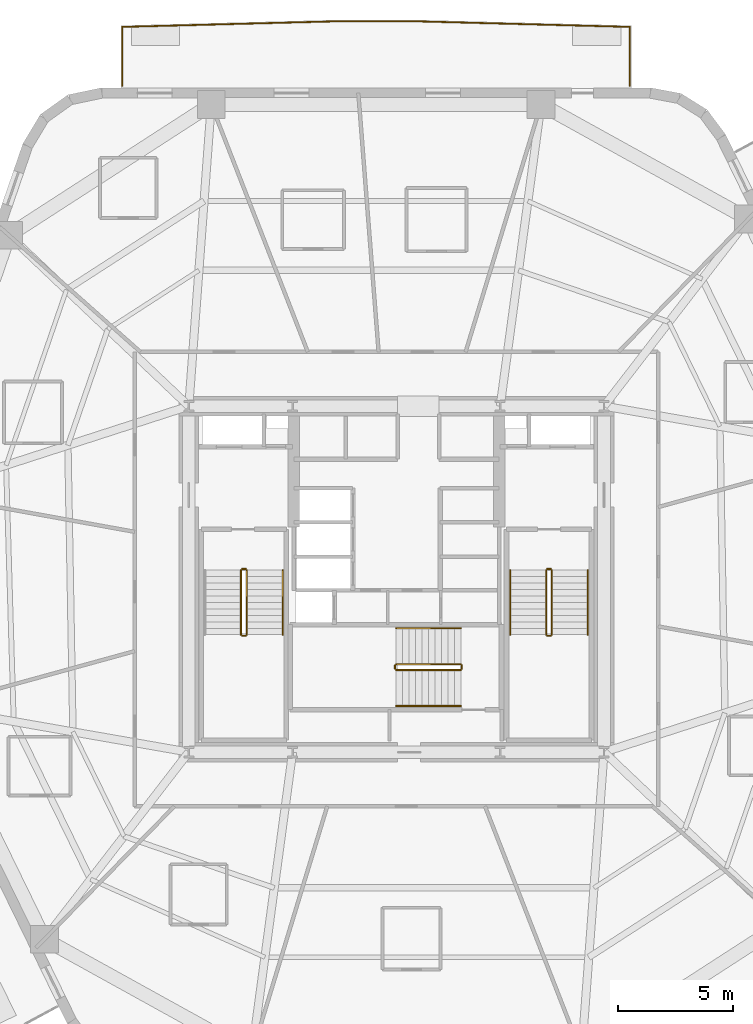
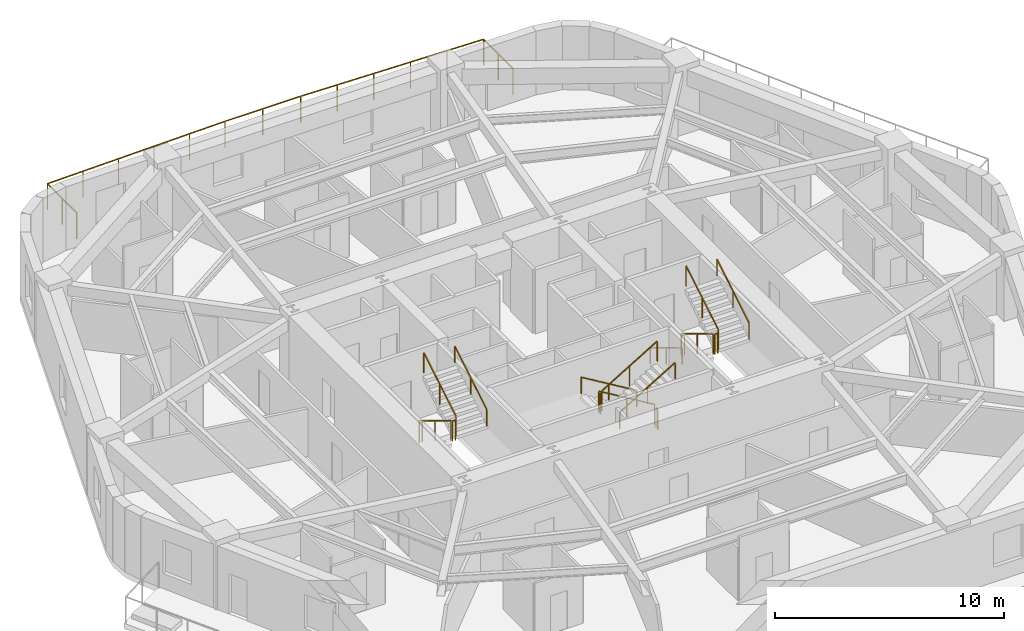
# One storey, part 8 of 9: 18 railings.
"""IFC4 building model written with IfcOpenShell, lengths in metres."""

from ifc_helpers import new_model, si_unit, direction, frame, origin, origin_2d, place, context, subcontext, project, spatial, rectangle, extrude, material, layer, layer_set, type_object, element, save


model = new_model("IFC4")

# Units and contexts
model_context = context("Model", 3, precision=1e-05, world=origin(), true_north=direction((0.0, 1.0)))
body_context = subcontext(model_context, "Body", "Model", "MODEL_VIEW")
ifc_project = project(units=[si_unit("LENGTHUNIT", "METRE"), si_unit("AREAUNIT", "SQUARE_METRE"), si_unit("VOLUMEUNIT", "CUBIC_METRE"), si_unit("PLANEANGLEUNIT", "RADIAN"), si_unit("MASSUNIT", "GRAM", prefix="KILO")], contexts=[model_context])

# Site, building, storey
site_placement = place(None, origin())
site = spatial("IfcSite", under=ifc_project, at=site_placement, CompositionType="ELEMENT")
building_placement = place(site_placement, origin())
building = spatial("IfcBuilding", under=site, at=building_placement, Name="Kilnhurst Terrace Hotel", CompositionType="ELEMENT")
storey_placement = place(building_placement, frame((0.0, 0.0, 128.39990234375)))
storey = spatial("IfcBuildingStorey", under=building, at=storey_placement, Name="L31", CompositionType="ELEMENT", Elevation=128.39990234375)

# Railings
ifc_material_1 = material(Name="Laminated SentryGlas and Stainless Steel AISI 316L Balustrade", Category="steel")
ifc_layer_1 = layer(ifc_material_1, 0.070068359375, Name="Laminated SentryGlas and Stainless Steel AISI 316L Balustrade")
ifc_layer_set_1 = layer_set([ifc_layer_1], Name="Laminated SentryGlas and Stainless Steel AISI 316L Balustrade")
railing_type_1 = type_object("IfcRailingType", Name="RLG-BAL-1420", PredefinedType="BALUSTRADE", material=ifc_layer_set_1)
railing_1_placement = place(storey_placement, frame((-11.8837890625, 21.3798828125, 0.0)))
element("IfcRailing", 1, at=railing_1_placement, inside=storey, type_object=railing_type_1, Name="L31 Exterior Terrace Guardrail BAL-L1B.1", PredefinedType="BALUSTRADE", context=body_context, shape_type="SweptSolid", body=[
    extrude(rectangle(XDim=0.048095703125, YDim=0.048095703125, at=origin_2d()), frame((0.0, 0.0, 1.39599609375), z_axis=(0.0, 1.0, 0.0), x_axis=(-1.0, 0.0, 0.0)), (0.0, 0.0, 1.0), 2.561767578125),
    extrude(rectangle(XDim=0.048095703125, YDim=0.048095703125, at=origin_2d()), frame((0.0, 2.561767578125, 1.39599609375), z_axis=(0.999657105501, 0.026185328367, 0.0), x_axis=(-0.026185328367, 0.999657105501, 0.0)), (0.0, 0.0, 1.0), 9.099853515625),
    extrude(rectangle(XDim=0.048095703125, YDim=0.048095703125, at=origin_2d()), frame((9.0966796875, 2.800048828125, 1.39599609375), z_axis=(1.0, 0.0, 0.0), x_axis=(0.0, 1.0, 0.0)), (0.0, 0.0, 1.0), 3.8134765625),
    extrude(rectangle(XDim=0.048095703125, YDim=0.048095703125, at=origin_2d()), frame((12.91015625, 2.800048828125, 1.39599609375), z_axis=(0.999657105501, -0.026185328367, 0.0), x_axis=(0.026185328367, 0.999657105501, 0.0)), (0.0, 0.0, 1.0), 9.099853515625),
    extrude(rectangle(XDim=0.048095703125, YDim=0.048095703125, at=origin_2d()), frame((22.0068359375, 2.561767578125, 1.39599609375), z_axis=(0.0, -1.0, 0.0), x_axis=(1.0, 0.0, 0.0)), (0.0, 0.0, 1.0), 2.561767578125),
    extrude(rectangle(XDim=0.0419921875, YDim=0.0419921875, at=origin_2d()), origin(), (0.0, 0.0, 1.0), 1.371826171875),
    extrude(rectangle(XDim=0.0419921875, YDim=0.0419921875, at=origin_2d()), frame((0.0, 1.28076171875, 0.0)), (0.0, 0.0, 1.0), 1.371826171875),
    extrude(rectangle(XDim=0.0419921875, YDim=0.0419921875, at=origin_2d()), frame((0.0, 2.561767578125, 0.0)), (0.0, 0.0, 1.0), 1.371826171875),
    extrude(rectangle(XDim=0.0419921875, YDim=0.0419921875, at=origin_2d()), frame((1.8193359375, 2.609375, 0.0)), (0.0, 0.0, 1.0), 1.371826171875),
    extrude(rectangle(XDim=0.0419921875, YDim=0.0419921875, at=origin_2d()), frame((3.638671875, 2.656982421875, 0.0)), (0.0, 0.0, 1.0), 1.371826171875),
    extrude(rectangle(XDim=0.0419921875, YDim=0.0419921875, at=origin_2d()), frame((5.4580078125, 2.704833984375, 0.0)), (0.0, 0.0, 1.0), 1.371826171875),
    extrude(rectangle(XDim=0.0419921875, YDim=0.0419921875, at=origin_2d()), frame((7.27734375, 2.75244140625, 0.0)), (0.0, 0.0, 1.0), 1.371826171875),
    extrude(rectangle(XDim=0.0419921875, YDim=0.0419921875, at=origin_2d()), frame((9.0966796875, 2.800048828125, 0.0)), (0.0, 0.0, 1.0), 1.371826171875),
    extrude(rectangle(XDim=0.0419921875, YDim=0.0419921875, at=origin_2d()), frame((11.00341796875, 2.800048828125, 0.0)), (0.0, 0.0, 1.0), 1.371826171875),
    extrude(rectangle(XDim=0.0419921875, YDim=0.0419921875, at=origin_2d()), frame((12.91015625, 2.800048828125, 0.0)), (0.0, 0.0, 1.0), 1.371826171875),
    extrude(rectangle(XDim=0.0419921875, YDim=0.0419921875, at=origin_2d()), frame((14.7294921875, 2.75244140625, 0.0)), (0.0, 0.0, 1.0), 1.371826171875),
    extrude(rectangle(XDim=0.0419921875, YDim=0.0419921875, at=origin_2d()), frame((16.548828125, 2.704833984375, 0.0)), (0.0, 0.0, 1.0), 1.371826171875),
    extrude(rectangle(XDim=0.0419921875, YDim=0.0419921875, at=origin_2d()), frame((18.3681640625, 2.656982421875, 0.0)), (0.0, 0.0, 1.0), 1.371826171875),
    extrude(rectangle(XDim=0.0419921875, YDim=0.0419921875, at=origin_2d()), frame((20.1875, 2.609375, 0.0)), (0.0, 0.0, 1.0), 1.371826171875),
    extrude(rectangle(XDim=0.0419921875, YDim=0.0419921875, at=origin_2d()), frame((22.0068359375, 2.561767578125, 0.0)), (0.0, 0.0, 1.0), 1.371826171875),
    extrude(rectangle(XDim=0.0419921875, YDim=0.0419921875, at=origin_2d()), frame((22.0068359375, 1.28076171875, 0.0)), (0.0, 0.0, 1.0), 1.371826171875),
    extrude(rectangle(XDim=0.0419921875, YDim=0.0419921875, at=origin_2d()), frame((22.0068359375, 0.0, 0.0)), (0.0, 0.0, 1.0), 1.371826171875),
])
ifc_material_2 = material(Name="Powder-Coated Steel ASTM A500 Grade B", Category="steel")
ifc_layer_2 = layer(ifc_material_2, 0.050048828125, Name="Powder-Coated Steel ASTM A500 Grade B")
ifc_layer_set_2 = layer_set([ifc_layer_2], Name="Powder-Coated Steel ASTM A500 Grade B")
railing_type_2 = type_object("IfcRailingType", Name="RLG-ST-GRD-1100", PredefinedType="GUARDRAIL", material=ifc_layer_set_2)
railing_2_placement = place(storey_placement, frame((-6.739990234375, 0.389892578125, 0.168212890625)))
element("IfcRailing", 2, at=railing_2_placement, inside=storey, type_object=railing_type_2, Name="L31 ST-1 stair guard 1", PredefinedType="GUARDRAIL", context=body_context, shape_type="SweptSolid", body=[
    extrude(rectangle(XDim=0.048095703125, YDim=0.048095703125, at=origin_2d()), frame((0.0, 0.0, 1.076171875), z_axis=(0.0, -0.857222391501, 0.514946377315), x_axis=(1.0, 0.0, 0.0)), (0.0, 0.0, 1.0), 3.26611328125),
    extrude(rectangle(XDim=0.0419921875, YDim=0.0419921875, at=origin_2d()), origin(), (0.0, 0.0, 1.0), 1.052001953125),
    extrude(rectangle(XDim=0.0419921875, YDim=0.0419921875, at=origin_2d()), frame((0.0, -1.39990234375, 0.8408203125)), (0.0, 0.0, 1.0), 1.052001953125),
    extrude(rectangle(XDim=0.0419921875, YDim=0.0419921875, at=origin_2d()), frame((0.0, -2.7998046875, 1.681884765625)), (0.0, 0.0, 1.0), 1.052001953125),
])
railing_3_placement = place(storey_placement, frame((-6.68994140625, -2.4599609375, 1.85009765625)))
element("IfcRailing", 3, at=railing_3_placement, inside=storey, type_object=railing_type_2, Name="L31 ST-1 stair guard 2", PredefinedType="GUARDRAIL", context=body_context, shape_type="SweptSolid", body=[
    extrude(rectangle(XDim=0.048095703125, YDim=0.048095703125, at=origin_2d()), frame((0.0, 0.0, 1.076171875), z_axis=(1.0, 0.0, 0.0), x_axis=(0.0, 1.0, 0.0)), (0.0, 0.0, 1.0), 0.14990234375),
    extrude(rectangle(XDim=0.0419921875, YDim=0.0419921875, at=origin_2d()), origin(), (0.0, 0.0, 1.0), 1.052001953125),
    extrude(rectangle(XDim=0.0419921875, YDim=0.0419921875, at=origin_2d()), frame((0.14990234375, 0.0, 0.0)), (0.0, 0.0, 1.0), 1.052001953125),
])
railing_4_placement = place(storey_placement, frame((-6.489990234375, -2.409912109375, 2.018310546875)))
element("IfcRailing", 4, at=railing_4_placement, inside=storey, type_object=railing_type_2, Name="L31 ST-1 stair guard 3", PredefinedType="GUARDRAIL", context=body_context, shape_type="SweptSolid", body=[
    extrude(rectangle(XDim=0.048095703125, YDim=0.048095703125, at=origin_2d()), frame((0.0, 0.0, 1.076171875), z_axis=(0.0, 0.857222391501, 0.514946377315), x_axis=(-1.0, 0.0, 0.0)), (0.0, 0.0, 1.0), 3.26611328125),
    extrude(rectangle(XDim=0.0419921875, YDim=0.0419921875, at=origin_2d()), origin(), (0.0, 0.0, 1.0), 1.052001953125),
    extrude(rectangle(XDim=0.0419921875, YDim=0.0419921875, at=origin_2d()), frame((0.0, 1.39990234375, 0.8408203125)), (0.0, 0.0, 1.0), 1.052001953125),
    extrude(rectangle(XDim=0.0419921875, YDim=0.0419921875, at=origin_2d()), frame((0.0, 2.7998046875, 1.681884765625)), (0.0, 0.0, 1.0), 1.052001953125),
])
railing_5_placement = place(storey_placement, frame((-6.68994140625, 0.43994140625, 0.0)))
element("IfcRailing", 5, at=railing_5_placement, inside=storey, type_object=railing_type_2, Name="L31 ST-1 stair guard 4", PredefinedType="GUARDRAIL", context=body_context, shape_type="SweptSolid", body=[
    extrude(rectangle(XDim=0.048095703125, YDim=0.048095703125, at=origin_2d()), frame((0.0, 0.0, 1.076171875), z_axis=(1.0, 0.0, 0.0), x_axis=(0.0, 1.0, 0.0)), (0.0, 0.0, 1.0), 0.14990234375),
    extrude(rectangle(XDim=0.0419921875, YDim=0.0419921875, at=origin_2d()), origin(), (0.0, 0.0, 1.0), 1.052001953125),
    extrude(rectangle(XDim=0.0419921875, YDim=0.0419921875, at=origin_2d()), frame((0.14990234375, 0.0, 0.0)), (0.0, 0.0, 1.0), 1.052001953125),
])
railing_6_placement = place(storey_placement, frame((6.489990234375, 0.389892578125, 0.168212890625)))
element("IfcRailing", 6, at=railing_6_placement, inside=storey, type_object=railing_type_2, Name="L31 ST-2 stair guard 1", PredefinedType="GUARDRAIL", context=body_context, shape_type="SweptSolid", body=[
    extrude(rectangle(XDim=0.048095703125, YDim=0.048095703125, at=origin_2d()), frame((0.0, 0.0, 1.076171875), z_axis=(0.0, -0.857222391501, 0.514946377315), x_axis=(1.0, 0.0, 0.0)), (0.0, 0.0, 1.0), 3.26611328125),
    extrude(rectangle(XDim=0.0419921875, YDim=0.0419921875, at=origin_2d()), origin(), (0.0, 0.0, 1.0), 1.052001953125),
    extrude(rectangle(XDim=0.0419921875, YDim=0.0419921875, at=origin_2d()), frame((0.0, -1.39990234375, 0.8408203125)), (0.0, 0.0, 1.0), 1.052001953125),
    extrude(rectangle(XDim=0.0419921875, YDim=0.0419921875, at=origin_2d()), frame((0.0, -2.7998046875, 1.681884765625)), (0.0, 0.0, 1.0), 1.052001953125),
])
railing_7_placement = place(storey_placement, frame((6.5400390625, -2.4599609375, 1.85009765625)))
element("IfcRailing", 7, at=railing_7_placement, inside=storey, type_object=railing_type_2, Name="L31 ST-2 stair guard 2", PredefinedType="GUARDRAIL", context=body_context, shape_type="SweptSolid", body=[
    extrude(rectangle(XDim=0.048095703125, YDim=0.048095703125, at=origin_2d()), frame((0.0, 0.0, 1.076171875), z_axis=(1.0, 0.0, 0.0), x_axis=(0.0, 1.0, 0.0)), (0.0, 0.0, 1.0), 0.14990234375),
    extrude(rectangle(XDim=0.0419921875, YDim=0.0419921875, at=origin_2d()), origin(), (0.0, 0.0, 1.0), 1.052001953125),
    extrude(rectangle(XDim=0.0419921875, YDim=0.0419921875, at=origin_2d()), frame((0.14990234375, 0.0, 0.0)), (0.0, 0.0, 1.0), 1.052001953125),
])
railing_8_placement = place(storey_placement, frame((6.739990234375, -2.409912109375, 2.018310546875)))
element("IfcRailing", 8, at=railing_8_placement, inside=storey, type_object=railing_type_2, Name="L31 ST-2 stair guard 3", PredefinedType="GUARDRAIL", context=body_context, shape_type="SweptSolid", body=[
    extrude(rectangle(XDim=0.048095703125, YDim=0.048095703125, at=origin_2d()), frame((0.0, 0.0, 1.076171875), z_axis=(0.0, 0.857222391501, 0.514946377315), x_axis=(-1.0, 0.0, 0.0)), (0.0, 0.0, 1.0), 3.26611328125),
    extrude(rectangle(XDim=0.0419921875, YDim=0.0419921875, at=origin_2d()), origin(), (0.0, 0.0, 1.0), 1.052001953125),
    extrude(rectangle(XDim=0.0419921875, YDim=0.0419921875, at=origin_2d()), frame((0.0, 1.39990234375, 0.8408203125)), (0.0, 0.0, 1.0), 1.052001953125),
    extrude(rectangle(XDim=0.0419921875, YDim=0.0419921875, at=origin_2d()), frame((0.0, 2.7998046875, 1.681884765625)), (0.0, 0.0, 1.0), 1.052001953125),
])
railing_9_placement = place(storey_placement, frame((6.5400390625, 0.43994140625, 0.0)))
element("IfcRailing", 9, at=railing_9_placement, inside=storey, type_object=railing_type_2, Name="L31 ST-2 stair guard 4", PredefinedType="GUARDRAIL", context=body_context, shape_type="SweptSolid", body=[
    extrude(rectangle(XDim=0.048095703125, YDim=0.048095703125, at=origin_2d()), frame((0.0, 0.0, 1.076171875), z_axis=(1.0, 0.0, 0.0), x_axis=(0.0, 1.0, 0.0)), (0.0, 0.0, 1.0), 0.14990234375),
    extrude(rectangle(XDim=0.0419921875, YDim=0.0419921875, at=origin_2d()), origin(), (0.0, 0.0, 1.0), 1.052001953125),
    extrude(rectangle(XDim=0.0419921875, YDim=0.0419921875, at=origin_2d()), frame((0.14990234375, 0.0, 0.0)), (0.0, 0.0, 1.0), 1.052001953125),
])
railing_10_placement = place(storey_placement, frame((2.7900390625, -3.68994140625, 0.168212890625)))
element("IfcRailing", 10, at=railing_10_placement, inside=storey, type_object=railing_type_2, Name="L31 ST-3 stair guard 1", PredefinedType="GUARDRAIL", context=body_context, shape_type="SweptSolid", body=[
    extrude(rectangle(XDim=0.048095703125, YDim=0.048095703125, at=origin_2d()), frame((0.0, 0.0, 1.076171875), z_axis=(-0.857242210791, 0.0, 0.514913383045), x_axis=(0.0, -1.0, 0.0)), (0.0, 0.0, 1.0), 3.266357421875),
    extrude(rectangle(XDim=0.0419921875, YDim=0.0419921875, at=origin_2d()), origin(), (0.0, 0.0, 1.0), 1.052001953125),
    extrude(rectangle(XDim=0.0419921875, YDim=0.0419921875, at=origin_2d()), frame((-1.39990234375, 0.0, 0.8408203125)), (0.0, 0.0, 1.0), 1.052001953125),
    extrude(rectangle(XDim=0.0419921875, YDim=0.0419921875, at=origin_2d()), frame((-2.800048828125, 0.0, 1.681884765625)), (0.0, 0.0, 1.0), 1.052001953125),
])
railing_11_placement = place(storey_placement, frame((-0.06005859375, -3.739990234375, 1.85009765625)))
element("IfcRailing", 11, at=railing_11_placement, inside=storey, type_object=railing_type_2, Name="L31 ST-3 stair guard 2", PredefinedType="GUARDRAIL", context=body_context, shape_type="SweptSolid", body=[
    extrude(rectangle(XDim=0.048095703125, YDim=0.048095703125, at=origin_2d()), frame((0.0, 0.0, 1.076171875), z_axis=(0.0, -1.0, 0.0), x_axis=(1.0, 0.0, 0.0)), (0.0, 0.0, 1.0), 0.14990234375),
    extrude(rectangle(XDim=0.0419921875, YDim=0.0419921875, at=origin_2d()), origin(), (0.0, 0.0, 1.0), 1.052001953125),
    extrude(rectangle(XDim=0.0419921875, YDim=0.0419921875, at=origin_2d()), frame((0.0, -0.14990234375, 0.0)), (0.0, 0.0, 1.0), 1.052001953125),
])
railing_12_placement = place(storey_placement, frame((-0.010009765625, -3.93994140625, 2.018310546875)))
element("IfcRailing", 12, at=railing_12_placement, inside=storey, type_object=railing_type_2, Name="L31 ST-3 stair guard 3", PredefinedType="GUARDRAIL", context=body_context, shape_type="SweptSolid", body=[
    extrude(rectangle(XDim=0.048095703125, YDim=0.048095703125, at=origin_2d()), frame((0.0, 0.0, 1.076171875), z_axis=(0.857242210791, 0.0, 0.514913383045), x_axis=(0.0, 1.0, 0.0)), (0.0, 0.0, 1.0), 3.266357421875),
    extrude(rectangle(XDim=0.0419921875, YDim=0.0419921875, at=origin_2d()), origin(), (0.0, 0.0, 1.0), 1.052001953125),
    extrude(rectangle(XDim=0.0419921875, YDim=0.0419921875, at=origin_2d()), frame((1.39990234375, 0.0, 0.8408203125)), (0.0, 0.0, 1.0), 1.052001953125),
    extrude(rectangle(XDim=0.0419921875, YDim=0.0419921875, at=origin_2d()), frame((2.800048828125, 0.0, 1.681884765625)), (0.0, 0.0, 1.0), 1.052001953125),
])
railing_13_placement = place(storey_placement, frame((2.840087890625, -3.739990234375, 0.0)))
element("IfcRailing", 13, at=railing_13_placement, inside=storey, type_object=railing_type_2, Name="L31 ST-3 stair guard 4", PredefinedType="GUARDRAIL", context=body_context, shape_type="SweptSolid", body=[
    extrude(rectangle(XDim=0.048095703125, YDim=0.048095703125, at=origin_2d()), frame((0.0, 0.0, 1.076171875), z_axis=(0.0, -1.0, 0.0), x_axis=(1.0, 0.0, 0.0)), (0.0, 0.0, 1.0), 0.14990234375),
    extrude(rectangle(XDim=0.0419921875, YDim=0.0419921875, at=origin_2d()), origin(), (0.0, 0.0, 1.0), 1.052001953125),
    extrude(rectangle(XDim=0.0419921875, YDim=0.0419921875, at=origin_2d()), frame((0.0, -0.14990234375, 0.0)), (0.0, 0.0, 1.0), 1.052001953125),
])
ifc_material_3 = material(Name="Brushed Stainless Steel AISI 304", Category="steel")
ifc_layer_3 = layer(ifc_material_3, 0.048095703125, Name="Brushed Stainless Steel AISI 304")
ifc_layer_set_3 = layer_set([ifc_layer_3], Name="Brushed Stainless Steel AISI 304")
railing_type_3 = type_object("IfcRailingType", Name="RLG-ST-HRL-900", PredefinedType="HANDRAIL", material=ifc_layer_set_3)
railing_14_placement = place(storey_placement, frame((-4.929931640625, -2.409912109375, 2.018310546875)))
element("IfcRailing", 14, at=railing_14_placement, inside=storey, type_object=railing_type_3, Name="L31 ST-1 stair handrail 2", PredefinedType="HANDRAIL", context=body_context, shape_type="SweptSolid", body=[
    extrude(rectangle(XDim=0.048095703125, YDim=0.048095703125, at=origin_2d()), frame((0.0, 0.0, 0.8759765625), z_axis=(0.0, 0.857222391501, 0.514946377315), x_axis=(-1.0, 0.0, 0.0)), (0.0, 0.0, 1.0), 3.26611328125),
    extrude(rectangle(XDim=0.0419921875, YDim=0.0419921875, at=origin_2d()), origin(), (0.0, 0.0, 1.0), 0.851806640625),
    extrude(rectangle(XDim=0.0419921875, YDim=0.0419921875, at=origin_2d()), frame((0.0, 1.39990234375, 0.8408203125)), (0.0, 0.0, 1.0), 0.851806640625),
    extrude(rectangle(XDim=0.0419921875, YDim=0.0419921875, at=origin_2d()), frame((0.0, 2.7998046875, 1.681884765625)), (0.0, 0.0, 1.0), 0.851806640625),
])
railing_15_placement = place(storey_placement, frame((4.929931640625, 0.389892578125, 0.168212890625)))
element("IfcRailing", 15, at=railing_15_placement, inside=storey, type_object=railing_type_3, Name="L31 ST-2 stair handrail 1", PredefinedType="HANDRAIL", context=body_context, shape_type="SweptSolid", body=[
    extrude(rectangle(XDim=0.048095703125, YDim=0.048095703125, at=origin_2d()), frame((0.0, 0.0, 0.8759765625), z_axis=(0.0, -0.857222391501, 0.514946377315), x_axis=(1.0, 0.0, 0.0)), (0.0, 0.0, 1.0), 3.26611328125),
    extrude(rectangle(XDim=0.0419921875, YDim=0.0419921875, at=origin_2d()), origin(), (0.0, 0.0, 1.0), 0.851806640625),
    extrude(rectangle(XDim=0.0419921875, YDim=0.0419921875, at=origin_2d()), frame((0.0, -1.39990234375, 0.8408203125)), (0.0, 0.0, 1.0), 0.851806640625),
    extrude(rectangle(XDim=0.0419921875, YDim=0.0419921875, at=origin_2d()), frame((0.0, -2.7998046875, 1.681884765625)), (0.0, 0.0, 1.0), 0.851806640625),
])
railing_16_placement = place(storey_placement, frame((8.300048828125, -2.409912109375, 2.018310546875)))
element("IfcRailing", 16, at=railing_16_placement, inside=storey, type_object=railing_type_3, Name="L31 ST-2 stair handrail 2", PredefinedType="HANDRAIL", context=body_context, shape_type="SweptSolid", body=[
    extrude(rectangle(XDim=0.048095703125, YDim=0.048095703125, at=origin_2d()), frame((0.0, 0.0, 0.8759765625), z_axis=(0.0, 0.857222391501, 0.514946377315), x_axis=(-1.0, 0.0, 0.0)), (0.0, 0.0, 1.0), 3.26611328125),
    extrude(rectangle(XDim=0.0419921875, YDim=0.0419921875, at=origin_2d()), origin(), (0.0, 0.0, 1.0), 0.851806640625),
    extrude(rectangle(XDim=0.0419921875, YDim=0.0419921875, at=origin_2d()), frame((0.0, 1.39990234375, 0.8408203125)), (0.0, 0.0, 1.0), 0.851806640625),
    extrude(rectangle(XDim=0.0419921875, YDim=0.0419921875, at=origin_2d()), frame((0.0, 2.7998046875, 1.681884765625)), (0.0, 0.0, 1.0), 0.851806640625),
])
railing_17_placement = place(storey_placement, frame((2.7900390625, -2.1298828125, 0.168212890625)))
element("IfcRailing", 17, at=railing_17_placement, inside=storey, type_object=railing_type_3, Name="L31 ST-3 stair handrail 1", PredefinedType="HANDRAIL", context=body_context, shape_type="SweptSolid", body=[
    extrude(rectangle(XDim=0.048095703125, YDim=0.048095703125, at=origin_2d()), frame((0.0, 0.0, 0.8759765625), z_axis=(-0.857242210791, 0.0, 0.514913383045), x_axis=(0.0, -1.0, 0.0)), (0.0, 0.0, 1.0), 3.266357421875),
    extrude(rectangle(XDim=0.0419921875, YDim=0.0419921875, at=origin_2d()), origin(), (0.0, 0.0, 1.0), 0.851806640625),
    extrude(rectangle(XDim=0.0419921875, YDim=0.0419921875, at=origin_2d()), frame((-1.39990234375, 0.0, 0.8408203125)), (0.0, 0.0, 1.0), 0.851806640625),
    extrude(rectangle(XDim=0.0419921875, YDim=0.0419921875, at=origin_2d()), frame((-2.800048828125, 0.0, 1.681884765625)), (0.0, 0.0, 1.0), 0.851806640625),
])
railing_18_placement = place(storey_placement, frame((-0.010009765625, -5.5, 2.018310546875)))
element("IfcRailing", 18, at=railing_18_placement, inside=storey, type_object=railing_type_3, Name="L31 ST-3 stair handrail 2", PredefinedType="HANDRAIL", context=body_context, shape_type="SweptSolid", body=[
    extrude(rectangle(XDim=0.048095703125, YDim=0.048095703125, at=origin_2d()), frame((0.0, 0.0, 0.8759765625), z_axis=(0.857242210791, 0.0, 0.514913383045), x_axis=(0.0, 1.0, 0.0)), (0.0, 0.0, 1.0), 3.266357421875),
    extrude(rectangle(XDim=0.0419921875, YDim=0.0419921875, at=origin_2d()), origin(), (0.0, 0.0, 1.0), 0.851806640625),
    extrude(rectangle(XDim=0.0419921875, YDim=0.0419921875, at=origin_2d()), frame((1.39990234375, 0.0, 0.8408203125)), (0.0, 0.0, 1.0), 0.851806640625),
    extrude(rectangle(XDim=0.0419921875, YDim=0.0419921875, at=origin_2d()), frame((2.800048828125, 0.0, 1.681884765625)), (0.0, 0.0, 1.0), 0.851806640625),
])

save(model, "model.ifc")
